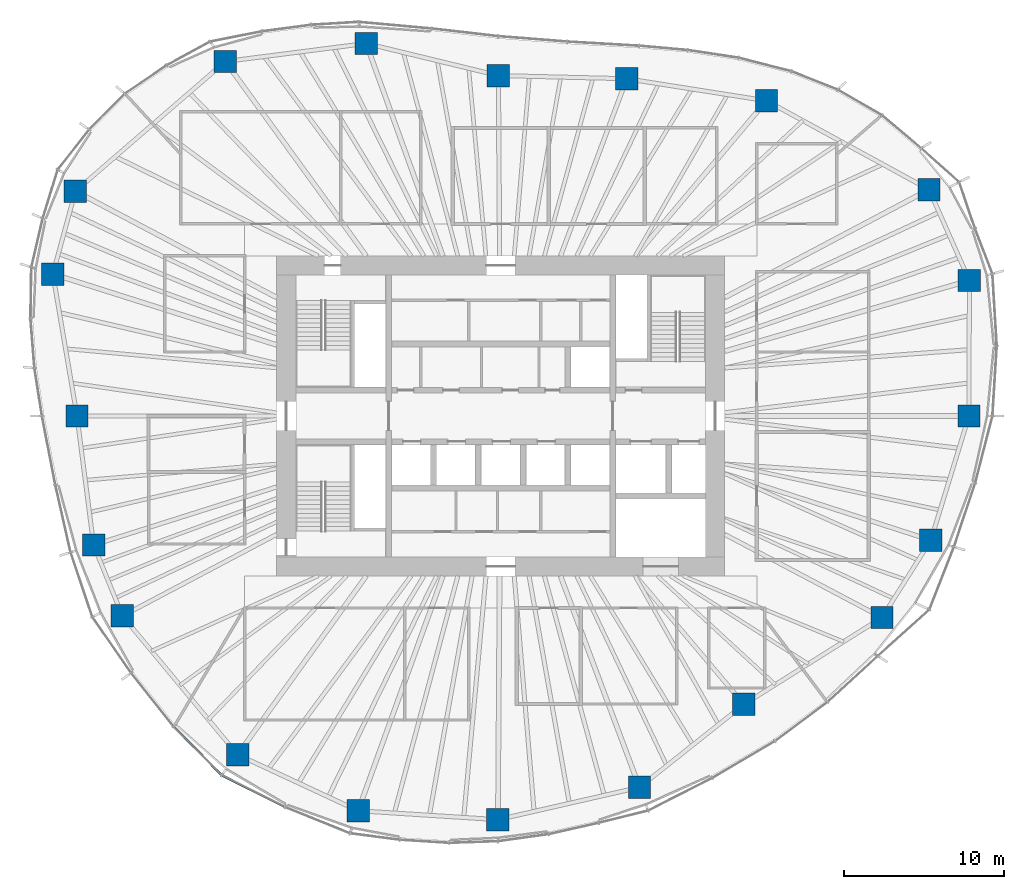
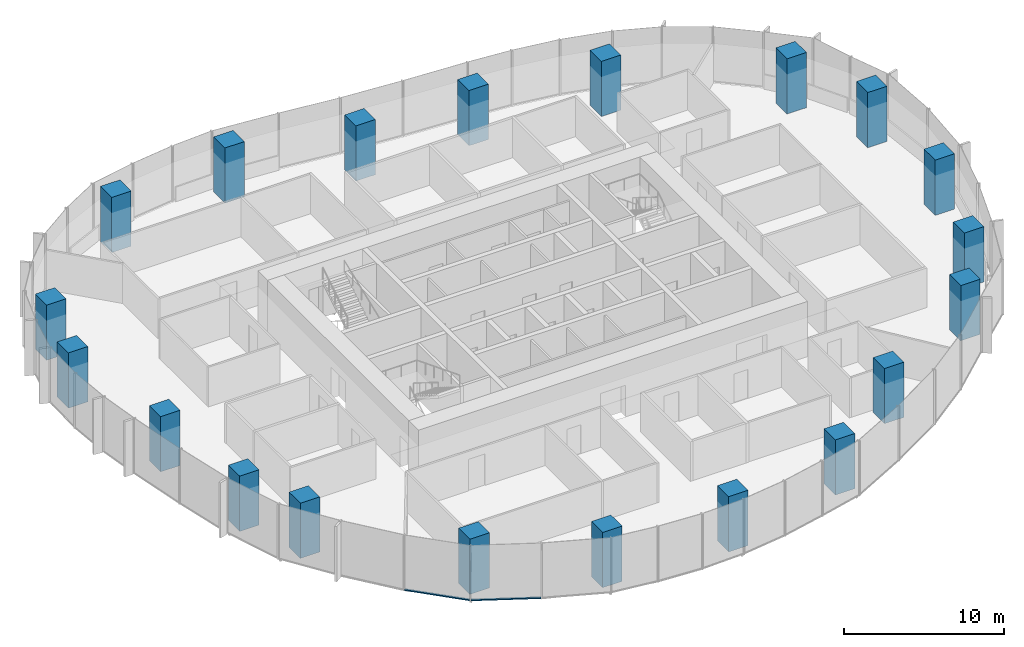
# One storey, part 1 of 18: 20 columns, 2 members, 2 elements without a shape of their own.
"""IFC4 building model written with IfcOpenShell, lengths in metres."""

import ifcopenshell
import ifcopenshell.guid

model = None  # the IFC model being written
_history = None  # IfcOwnerHistory: only IFC2X3 demands one
_inside = {}  # id of a spatial element -> (the spatial element, [elements in it])
_under = {}  # id of a project, library or spatial element -> (it, [spatial elements below it])
_declared = {}  # id of a project -> (the project, [libraries it declares])
_typed = {}  # id of a type object -> (the type object, [elements of that type])
_made_of = {}  # id of a material, layer set ... -> (it, [elements and type objects made of it])


def new_model(schema):
    """Start an empty IFC model of exactly this schema.

    Asked for "IFC4X3", IfcOpenShell would pick the latest addendum, in which some entities
    have other attributes; the version numbers below select the first issue.
    IFC2X3 requires an IfcOwnerHistory on every rooted entity: one is made here for all.
    """
    global model, _history
    if schema == "IFC4X3":
        model = ifcopenshell.file(schema_version=(4, 3, 0, 0))
    else:
        model = ifcopenshell.file(schema=schema)
    _inside.clear()
    _under.clear()
    _declared.clear()
    _typed.clear()
    _made_of.clear()
    _history = None
    if model.schema == "IFC2X3":
        org = make("IfcOrganization", Name="unknown")
        user = make(
            "IfcPersonAndOrganization",
            ThePerson=make("IfcPerson", FamilyName="unknown"),
            TheOrganization=org,
        )
        app = make(
            "IfcApplication",
            ApplicationDeveloper=org,
            Version="unknown",
            ApplicationFullName="unknown",
            ApplicationIdentifier="unknown",
        )
        _history = make(
            "IfcOwnerHistory",
            OwningUser=user,
            OwningApplication=app,
            ChangeAction="ADDED",
            CreationDate=0,
        )
    return model


def make(cls, **values):
    """One entity of the class cls with the attributes given. An attribute that is None is left unset."""
    return model.create_entity(
        cls, **{name: value for name, value in values.items() if value is not None}
    )


def rooted(cls, **values):
    """An entity with a GlobalId (a new one), such as an element, a storey or a relation."""
    return make(cls, GlobalId=ifcopenshell.guid.new(), OwnerHistory=_history, **values)


def si_unit(unit_type, name, prefix=None):
    """IfcSIUnit, for example si_unit("LENGTHUNIT", "METRE", prefix="MILLI")."""
    return make("IfcSIUnit", UnitType=unit_type, Prefix=prefix, Name=name)


def assignment(units):
    """IfcUnitAssignment: the units of a project."""
    return None if units is None else make("IfcUnitAssignment", Units=units)


def point(xyz):
    """IfcCartesianPoint."""
    return None if xyz is None else make("IfcCartesianPoint", Coordinates=xyz)


def direction(xyz):
    """IfcDirection."""
    return None if xyz is None else make("IfcDirection", DirectionRatios=xyz)


def frame(location, z_axis=None, x_axis=None):
    """IfcAxis2Placement3D, a coordinate frame: its origin and axes. An axis left out is left unset."""
    return make(
        "IfcAxis2Placement3D",
        Location=point(location),
        Axis=direction(z_axis),
        RefDirection=direction(x_axis),
    )


def frame_2d(location, x_axis=None):
    """IfcAxis2Placement2D, a coordinate frame in the plane: its origin and x axis."""
    return make(
        "IfcAxis2Placement2D", Location=point(location), RefDirection=direction(x_axis)
    )


def origin():
    """The frame at (0, 0, 0) with its axes left unset."""
    return frame((0.0, 0.0, 0.0))


def origin_2d():
    """The frame at (0, 0) in the plane with its x axis left unset."""
    return frame_2d((0.0, 0.0))


def place(relative_to, where):
    """IfcLocalPlacement: puts the frame where relative to a parent placement (None: the world)."""
    return make(
        "IfcLocalPlacement", PlacementRelTo=relative_to, RelativePlacement=where
    )


def context(
    kind, dimensions, precision=None, world=None, true_north=None, identifier=None
):
    """IfcGeometricRepresentationContext, for example the 3D "Model" context."""
    return make(
        "IfcGeometricRepresentationContext",
        ContextIdentifier=identifier,
        ContextType=kind,
        CoordinateSpaceDimension=dimensions,
        Precision=precision,
        WorldCoordinateSystem=world,
        TrueNorth=true_north,
    )


def subcontext(parent, identifier, kind, view, scale=None):
    """IfcGeometricRepresentationSubContext, for example "Body" below "Model"."""
    return make(
        "IfcGeometricRepresentationSubContext",
        ContextIdentifier=identifier,
        ContextType=kind,
        ParentContext=parent,
        TargetScale=scale,
        TargetView=view,
    )


def project(units=None, contexts=None):
    """IfcProject with its units and contexts."""
    return rooted(
        "IfcProject",
        Name="project",
        RepresentationContexts=contexts,
        UnitsInContext=assignment(units),
    )


def spatial(cls, under=None, at=None, **own):
    """A site, building, storey or space (cls), placed at a placement, below another one or the project."""
    s = rooted(cls, ObjectPlacement=at, **own)
    if under is not None:
        _under.setdefault(under.id(), (under, []))[1].append(s)
    return s


def profile(cls, at=None, kind="AREA", **sizes):
    """A parametric profile (cls). Its sizes go by their IFC names, for example OverallWidth=200.0."""
    return make(cls, ProfileType=kind, Position=at, **sizes)


def rectangle(**sizes):
    """IfcRectangleProfileDef."""
    return profile("IfcRectangleProfileDef", **sizes)


def extrude(swept, where, along, depth):
    """IfcExtrudedAreaSolid: the profile swept, set in the frame where, extruded along a direction by depth."""
    return make(
        "IfcExtrudedAreaSolid",
        SweptArea=swept,
        Position=where,
        ExtrudedDirection=direction(along),
        Depth=depth,
    )


def shape(context_of_items, identifier, shape_type, items):
    """IfcShapeRepresentation: the items that make up one representation, for example the "Body"."""
    return make(
        "IfcShapeRepresentation",
        ContextOfItems=context_of_items,
        RepresentationIdentifier=identifier,
        RepresentationType=shape_type,
        Items=items,
    )


def material(Name=None, Category=None):
    """IfcMaterial."""
    return make("IfcMaterial", Name=Name, Category=Category)


def material_profile(
    of_material, cross_section, Name=None, Category=None, Priority=None
):
    """IfcMaterialProfile: a cross section and its material."""
    return make(
        "IfcMaterialProfile",
        Name=Name,
        Material=of_material,
        Profile=cross_section,
        Priority=Priority,
        Category=Category,
    )


def profile_set(profiles, Name=None, composite=None):
    """IfcMaterialProfileSet."""
    return make(
        "IfcMaterialProfileSet",
        Name=Name,
        MaterialProfiles=profiles,
        CompositeProfile=composite,
    )


def made_of(thing, what):
    """Note that an element or type object is made of a material, layer set ...; save() writes the relation."""
    if what is not None:
        _made_of.setdefault(what.id(), (what, []))[1].append(thing)
    return thing


def type_object(cls, material=None, **own):
    """A type object (cls), such as IfcWallType, which elements share."""
    return made_of(rooted(cls, **own), material)


def element(
    cls,
    number,
    at=None,
    inside=None,
    cuts=None,
    type_object=None,
    material=None,
    context=None,
    identifier="Body",
    shape_type=None,
    held_by="IfcProductDefinitionShape",
    body=None,
    shapes=None,
    **own,
):
    """One element of the class cls, such as IfcWall. Its Tag is "e" and its number.

    at: its placement. inside: the storey or other place that contains it. cuts: it is an
    opening in that element (IfcRelVoidsElement). A single representation is given by context,
    identifier, shape_type and body (its items); several are given by shapes. held_by: the class
    of the entity that holds the representations. save() writes the other relations.
    """
    e = rooted(cls, Tag="e%d" % number, ObjectPlacement=at, **own)
    if body is not None:
        shapes = [shape(context, identifier, shape_type, body)]
    if shapes is not None:
        e.Representation = make(held_by, Representations=shapes)
    if inside is not None:
        _inside.setdefault(inside.id(), (inside, []))[1].append(e)
    if cuts is not None:
        rooted(
            "IfcRelVoidsElement", RelatingBuildingElement=cuts, RelatedOpeningElement=e
        )
    if type_object is not None:
        _typed.setdefault(type_object.id(), (type_object, []))[1].append(e)
    return made_of(e, material)


def aggregate(whole, parts):
    """IfcRelAggregates: a whole, such as a stair, and the parts it consists of."""
    return rooted("IfcRelAggregates", RelatingObject=whole, RelatedObjects=parts)


def save(model, path):
    """Write the relations noted so far, then the file.

    IfcRelAggregates (storeys below a building ...), IfcRelContainedInSpatialStructure (elements
    in a storey), IfcRelDefinesByType, IfcRelAssociatesMaterial and IfcRelDeclares: one each for
    every whole, place, type object, material and project.
    """
    for whole, parts in _under.values():
        aggregate(whole, parts)
    for where, things in _inside.values():
        rooted(
            "IfcRelContainedInSpatialStructure",
            RelatedElements=things,
            RelatingStructure=where,
        )
    for kind, things in _typed.values():
        rooted("IfcRelDefinesByType", RelatedObjects=things, RelatingType=kind)
    for what, things in _made_of.values():
        rooted("IfcRelAssociatesMaterial", RelatedObjects=things, RelatingMaterial=what)
    for by, libraries in _declared.values():
        rooted("IfcRelDeclares", RelatingContext=by, RelatedDefinitions=libraries)
    model.write(path)


model = new_model("IFC4")

# Units and contexts
model_context = context("Model", 3, precision=1e-05, world=origin(), true_north=direction((0.0, 1.0)))
body_context = subcontext(model_context, "Body", "Model", "MODEL_VIEW")
ifc_project = project(units=[si_unit("LENGTHUNIT", "METRE"), si_unit("AREAUNIT", "SQUARE_METRE"), si_unit("VOLUMEUNIT", "CUBIC_METRE"), si_unit("PLANEANGLEUNIT", "RADIAN"), si_unit("MASSUNIT", "GRAM", prefix="KILO")], contexts=[model_context])

# Site, building, storey
site_placement = place(None, origin())
site = spatial("IfcSite", under=ifc_project, at=site_placement, CompositionType="ELEMENT")
building_placement = place(site_placement, origin())
building = spatial("IfcBuilding", under=site, at=building_placement, Name="Ghaith Harvest Tower", CompositionType="ELEMENT")
storey_placement = place(building_placement, frame((0.0, 0.0, 155.39990234375)))
storey = spatial("IfcBuildingStorey", under=building, at=storey_placement, Name="L33", CompositionType="ELEMENT", Elevation=155.39990234375)

# Columns
ifc_material_1 = material(Name="Concrete C60/75", Category="concrete")
ifc_material_profile_1 = material_profile(ifc_material_1, rectangle(XDim=1.39990234375, YDim=1.39990234375, at=origin_2d()), Name="RC1400X1400")
ifc_profile_set_1 = profile_set([ifc_material_profile_1], Name="Concrete C60/75")
column_type = type_object("IfcColumnType", Name="TC4 RC1400X1400", PredefinedType="COLUMN", material=ifc_profile_set_1)
for number, where, z_axis, x_axis, name in (
    (1, (29.259033203125, 0.0, 0.0), (0.0, 0.0, 1.0), (1.0, 0.0, 0.0), "Perimeter column C01"),
    (2, (29.285888671875, 8.464111328125, 0.0), (0.0, 0.0, 1.0), (1.0, 0.0, 0.0), "Perimeter column C02"),
    (3, (26.763916015625, 14.14697265625, 0.0), (0.0, 0.0, 1.0), (1.0, 0.0, 0.0), "Perimeter column C03"),
    (4, (16.60791015625, 19.695068359375, 0.0), (0.0, 0.0, 1.0), (1.0, 0.0, 0.0), "Perimeter column C04"),
    (5, (7.8779296875, 21.072021484375, 0.0), (0.0, 0.0, 1.0), (1.0, 0.0, 0.0), "Perimeter column C05"),
    (6, (-0.14599609375, 21.27099609375, 0.0), (0.0, 0.0, 1.0), (1.0, 0.0, 0.0), "Perimeter column C06"),
    (7, (-8.406982421875, 23.27587890625, 0.0), (0.0, 0.0, 1.0), (1.0, 0.0, 0.0), "Perimeter column C07"),
    (8, (-17.201904296875, 22.14990234375, 0.0), (0.0, 0.0, 1.0), (1.0, 0.0, 0.0), "Perimeter column C08"),
    (9, (-26.572998046875, 14.0458984375, 0.0), (0.0, 0.0, 1.0), (1.0, 0.0, 0.0), "Perimeter column C09"),
    (10, (-27.98291015625, 8.867919921875, 0.0), (0.0, 0.0, 1.0), (1.0, 0.0, 0.0), "Perimeter column C10"),
    (11, (-26.47509765625, 0.0, 0.0), (0.0, 0.0, 1.0), (1.0, 0.0, 0.0), "Perimeter column C11"),
    (12, (-25.43603515625, -8.06103515625, 0.0), (0.0, 0.0, 1.0), (1.0, 0.0, 0.0), "Perimeter column C12"),
    (13, (-23.635009765625, -12.492919921875, 0.0), (0.0, 0.0, 1.0), (1.0, 0.0, 0.0), "Perimeter column C13"),
    (14, (-16.43701171875, -21.1640625, 0.0), (0.0, 0.0, 1.0), (1.0, 0.0, 0.0), "Perimeter column C14"),
    (15, (-8.908935546875, -24.66796875, 0.0), (0.0, 0.0, 1.0), (1.0, 0.0, 0.0), "Perimeter column C15"),
    (16, (-0.173095703125, -25.22412109375, 0.0), (0.0, 0.0, 1.0), (1.0, 0.0, 0.0), "Perimeter column C16"),
    (17, (8.674072265625, -23.202880859375, 0.0), (0.0, 0.0, 1.0), (1.0, 0.0, 0.0), "Perimeter column C17"),
    (18, (15.197998046875, -18.02294921875, 0.0), (0.0, 0.0, 1.0), (1.0, 0.0, 0.0), "Perimeter column C18"),
    (19, (23.825927734375, -12.593994140625, 0.0), (0.0, 0.0, 1.0), (1.0, 0.0, 0.0), "Perimeter column C19"),
    (20, (26.8779296875, -7.76806640625, 0.0), (0.0, 0.0, 1.0), (1.0, 0.0, 0.0), "Perimeter column C20"),
):
    element("IfcColumn", number, at=place(storey_placement, frame(where, z_axis=z_axis, x_axis=x_axis)), inside=storey, type_object=column_type, Name=name, PredefinedType="COLUMN", context=body_context, shape_type="SweptSolid", body=[
        extrude(rectangle(XDim=1.39990234375, YDim=1.39990234375, at=origin_2d()), origin(), (0.0, 0.0, 1.0), 4.2001953125),
    ])

# Curtain wall, member
ifc_material_2 = material(Name="Black anodised aluminium and fritted glass", Category="aluminium")
curtain_wall_type = type_object("IfcCurtainWallType", Name="CW-L CURTAIN WALL", PredefinedType="NOTDEFINED", material=ifc_material_2)
curtain_wall_1_placement = place(storey_placement, origin())
curtain_wall_1 = element("IfcCurtainWall", 21, at=curtain_wall_1_placement, inside=storey, type_object=curtain_wall_type, Name="Curtain wall CW-L bay 13 L33", PredefinedType="NOTDEFINED")
ifc_material_3 = material(Name="Aluminium, black anodised", Category="aluminium")
ifc_material_profile_2 = material_profile(ifc_material_3, rectangle(XDim=0.14990234375, YDim=0.080078125, at=origin_2d()), Name="CW-L TRANSOM 150x80")
ifc_profile_set_2 = profile_set([ifc_material_profile_2], Name="Aluminium, black anodised")
member_type = type_object("IfcMemberType", Name="CW-L TRANSOM 150x80", PredefinedType="USERDEFINED", material=ifc_profile_set_2)
member_1_placement = place(storey_placement, frame((-20.4130859375, -19.425048828125, 0.0400390625), z_axis=(0.702854410476, -0.711333731574, 0.0), x_axis=(0.711333731574, 0.702854410476, 0.0)))
member_1 = element("IfcMember", 22, at=member_1_placement, type_object=member_type, Name="CW-L transom 2 bay 13 L33", ObjectType="TRANSOM", PredefinedType="USERDEFINED", context=body_context, shape_type="SweptSolid", body=[
    extrude(rectangle(XDim=0.14990234375, YDim=0.080078125, at=origin_2d()), origin(), (0.0, 0.0, 1.0), 4.20361328125),
])
aggregate(curtain_wall_1, [member_1])

curtain_wall_2_placement = place(storey_placement, origin())
curtain_wall_2 = element("IfcCurtainWall", 23, at=curtain_wall_2_placement, inside=storey, type_object=curtain_wall_type, Name="Curtain wall CW-L bay 14 L33", PredefinedType="NOTDEFINED")
member_2_placement = place(storey_placement, frame((-17.394775390625, -22.461669921875, 0.0400390625), z_axis=(0.893057524502, -0.449942505138, 0.0), x_axis=(0.449942505138, 0.893057524502, 0.0)))
member_2 = element("IfcMember", 24, at=member_2_placement, type_object=member_type, Name="CW-L transom 1 bay 14 L33", ObjectType="TRANSOM", PredefinedType="USERDEFINED", context=body_context, shape_type="SweptSolid", body=[
    extrude(rectangle(XDim=0.14990234375, YDim=0.080078125, at=origin_2d()), origin(), (0.0, 0.0, 1.0), 4.362548828125),
])
aggregate(curtain_wall_2, [member_2])

save(model, "model.ifc")
